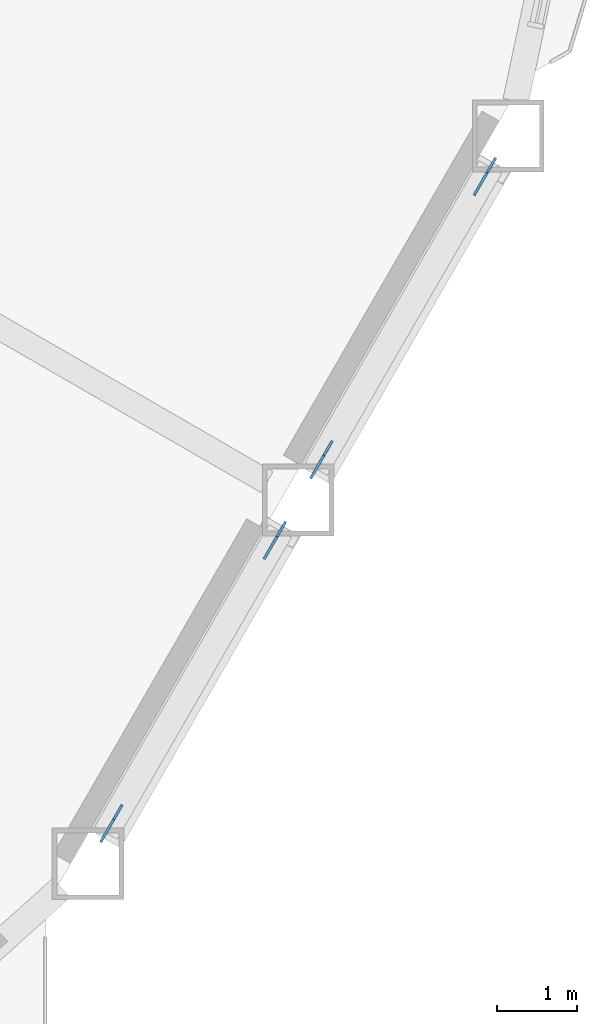
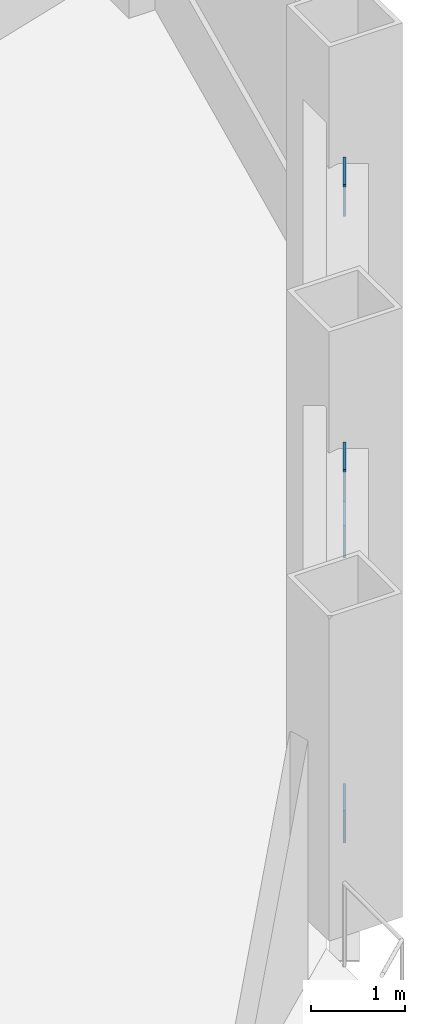
# One storey, part 15 of 21: 4 discrete accessories.
"""IFC4 building model written with IfcOpenShell, lengths in metres."""

from ifc_helpers import new_model, si_unit, direction, frame, origin, origin_2d, place, context, subcontext, project, spatial, rectangle, extrude, material, material_profile, profile_set, type_object, element, save


model = new_model("IFC4")

# Units and contexts
model_context = context("Model", 3, precision=1e-05, world=origin(), true_north=direction((0.0, 1.0)))
body_context = subcontext(model_context, "Body", "Model", "MODEL_VIEW")
ifc_project = project(units=[si_unit("LENGTHUNIT", "METRE"), si_unit("AREAUNIT", "SQUARE_METRE"), si_unit("VOLUMEUNIT", "CUBIC_METRE"), si_unit("PLANEANGLEUNIT", "RADIAN"), si_unit("MASSUNIT", "GRAM", prefix="KILO")], contexts=[model_context])

# Site, building, storey
site_placement = place(None, origin())
site = spatial("IfcSite", under=ifc_project, at=site_placement, CompositionType="ELEMENT")
building_placement = place(site_placement, origin())
building = spatial("IfcBuilding", under=site, at=building_placement, Name="Cormorant Prow Tower", CompositionType="ELEMENT")
storey_placement = place(building_placement, frame((0.0, 0.0, 108.0)))
storey = spatial("IfcBuildingStorey", under=building, at=storey_placement, Name="L22", CompositionType="ELEMENT", Elevation=108.0)

# Discrete accessories
ifc_material = material(Name="Structural steel ASTM A500 Gr C", Category="steel")
ifc_material_profile = material_profile(ifc_material, rectangle(XDim=0.031982421875, YDim=0.60791015625, at=origin_2d()), Name="Gusset plate 32x608")
ifc_profile_set = profile_set([ifc_material_profile], Name="Structural steel ASTM A500 Gr C")
discrete_accessory_type = type_object("IfcDiscreteAccessoryType", Name="Gusset plate 32x608", PredefinedType="BRACKET", material=ifc_profile_set)
discrete_accessory_1_placement = place(storey_placement, frame((25.8740234375, -20.158935546875, 0.882568359375), z_axis=(-0.467787927946, -0.810088781331, -0.353455260013), x_axis=(0.865987003449, -0.500066505434, 0.0)))
element("IfcDiscreteAccessory", 1, at=discrete_accessory_1_placement, inside=storey, type_object=discrete_accessory_type, Name="Gusset plate GP1 L22.ESE00.g0", PredefinedType="BRACKET", context=body_context, shape_type="SweptSolid", body=[
    extrude(rectangle(XDim=0.031982421875, YDim=0.60791015625, at=origin_2d()), origin(), (0.0, 0.0, 1.0), 0.35009765625),
])
discrete_accessory_2_placement = place(storey_placement, frame((27.76025390625, -16.8916015625, 2.306396484375), z_axis=(0.468167615655, 0.810048586848, 0.353044431477), x_axis=(-0.865800459427, 0.500389412813, 0.0)))
element("IfcDiscreteAccessory", 2, at=discrete_accessory_2_placement, inside=storey, type_object=discrete_accessory_type, Name="Gusset plate GP1 L22.ESE00.g1", PredefinedType="BRACKET", context=body_context, shape_type="SweptSolid", body=[
    extrude(rectangle(XDim=0.031982421875, YDim=0.60791015625, at=origin_2d()), origin(), (0.0, 0.0, 1.0), 0.349853515625),
])
for number, where, z_axis, x_axis, name in (
    (3, (28.5087890625, -15.59521484375, 0.882568359375), (-0.467787927946, -0.810088781331, -0.353455260013), (0.865987003449, -0.500066505434, 0.0), "Gusset plate GP1 L22.ESE01.g0"),
    (4, (30.39501953125, -12.328125, 2.306396484375), (0.467903125124, 0.810288273314, 0.352844979601), (-0.865987003449, 0.500066505434, 0.0), "Gusset plate GP1 L22.ESE01.g1"),
):
    element("IfcDiscreteAccessory", number, at=place(storey_placement, frame(where, z_axis=z_axis, x_axis=x_axis)), inside=storey, type_object=discrete_accessory_type, Name=name, PredefinedType="BRACKET", context=body_context, shape_type="SweptSolid", body=[
        extrude(rectangle(XDim=0.031982421875, YDim=0.60791015625, at=origin_2d()), origin(), (0.0, 0.0, 1.0), 0.35009765625),
    ])

save(model, "model.ifc")
